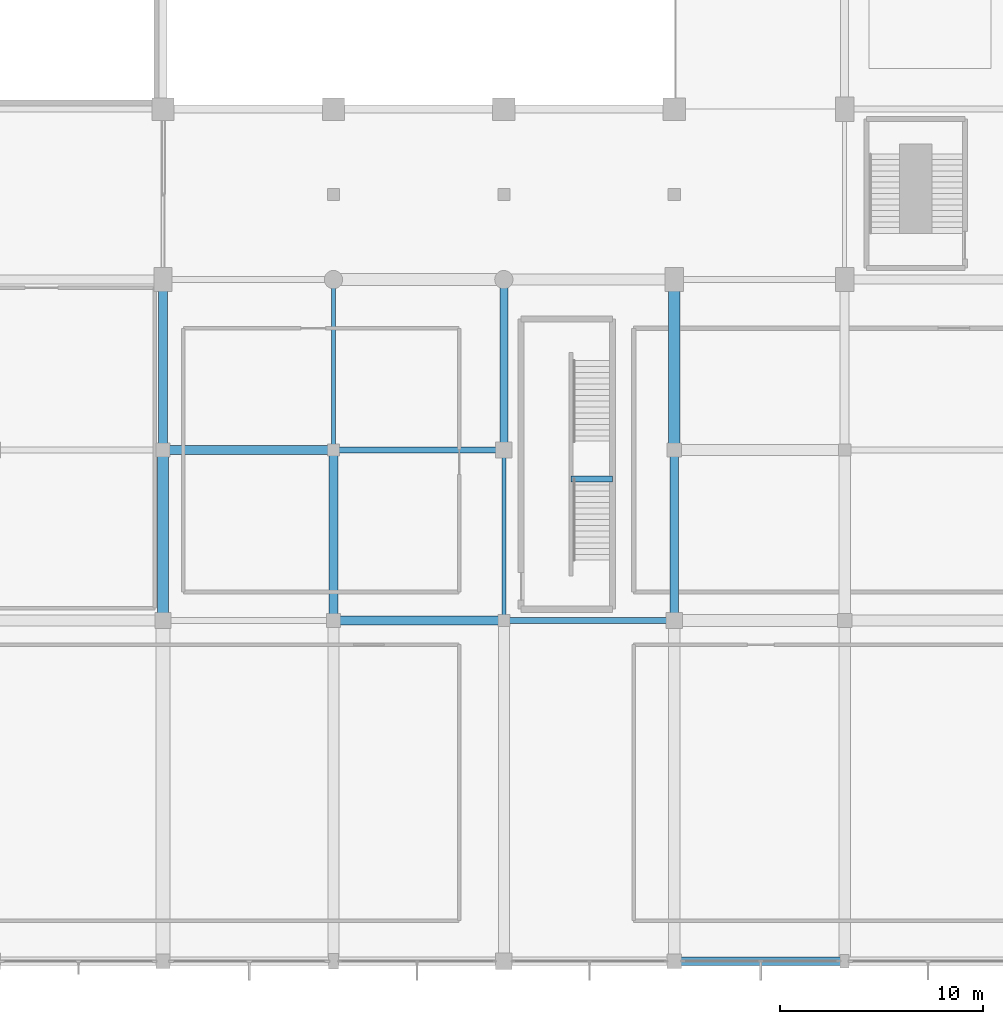
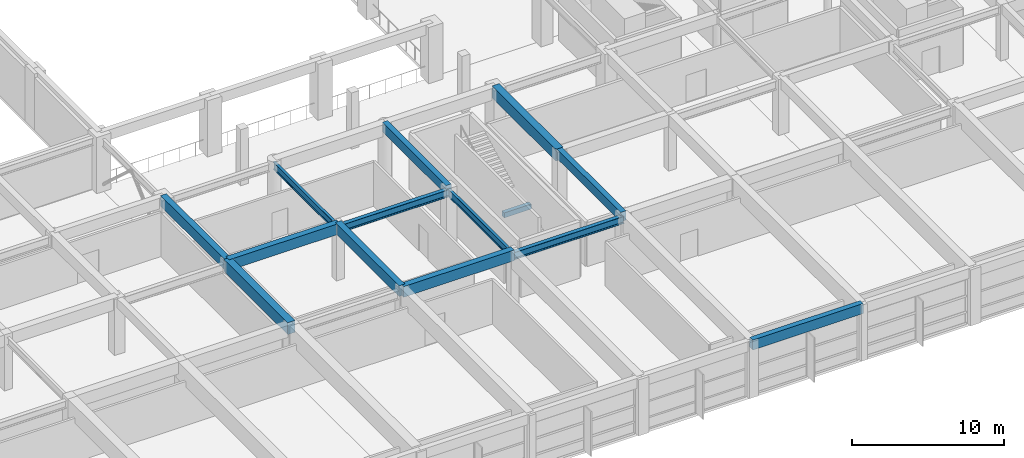
# One storey, part 17 of 65: 14 beams.
"""IFC4 building model written with IfcOpenShell, lengths in metres."""

from ifc_helpers import new_model, si_unit, direction, frame, origin, origin_2d, place, context, subcontext, project, spatial, rectangle, i_section, extrude, material, material_profile, profile_set, type_object, element, save


model = new_model("IFC4")

# Units and contexts
model_context = context("Model", 3, precision=1e-05, world=origin(), true_north=direction((0.0, 1.0)))
body_context = subcontext(model_context, "Body", "Model", "MODEL_VIEW")
ifc_project = project(units=[si_unit("LENGTHUNIT", "METRE"), si_unit("AREAUNIT", "SQUARE_METRE"), si_unit("VOLUMEUNIT", "CUBIC_METRE"), si_unit("PLANEANGLEUNIT", "RADIAN"), si_unit("MASSUNIT", "GRAM", prefix="KILO")], contexts=[model_context])

# Site, building, storey
site_placement = place(None, origin())
site = spatial("IfcSite", under=ifc_project, at=site_placement, CompositionType="ELEMENT")
building_placement = place(site_placement, origin())
building = spatial("IfcBuilding", under=site, at=building_placement, Name="Xuanlan Plaza Opera House", CompositionType="ELEMENT")
storey_placement = place(building_placement, frame((0.0, 0.0, 5.39990234375)))
storey = spatial("IfcBuildingStorey", under=building, at=storey_placement, Name="L01", CompositionType="ELEMENT", Elevation=5.39990234375)

# Beams
ifc_material_1 = material(Name="Concrete C50", Category="concrete")
ifc_material_profile_1 = material_profile(ifc_material_1, rectangle(XDim=0.550048828125, YDim=0.949951171875, at=origin_2d()), Name="RC-BM 550x950")
ifc_profile_set_1 = profile_set([ifc_material_profile_1], Name="Concrete C50")
beam_type_1 = type_object("IfcBeamType", Name="STR-BM-B-02", PredefinedType="BEAM", material=ifc_profile_set_1)
beam_1_placement = place(storey_placement, frame((67.199951171875, 16.800048828125, 4.025146484375), z_axis=(0.0, 1.0, 0.0), x_axis=(-1.0, 0.0, 0.0)))
element("IfcBeam", 1, at=beam_1_placement, inside=storey, type_object=beam_type_1, Name="Grid Beam Y L01 9/C-D", PredefinedType="BEAM", context=body_context, shape_type="SweptSolid", body=[
    extrude(rectangle(XDim=0.550048828125, YDim=0.949951171875, at=origin_2d()), origin(), (0.0, 0.0, 1.0), 8.39990234375),
])
beam_2_placement = place(storey_placement, frame((92.39990234375, 25.199951171875, 4.025146484375), z_axis=(0.0, 1.0, 0.0), x_axis=(-1.0, 0.0, 0.0)))
element("IfcBeam", 2, at=beam_2_placement, inside=storey, type_object=beam_type_1, Name="Grid Beam Y L01 12/D-E", PredefinedType="BEAM", context=body_context, shape_type="SweptSolid", body=[
    extrude(rectangle(XDim=0.550048828125, YDim=0.949951171875, at=origin_2d()), origin(), (0.0, 0.0, 1.0), 8.400146484375),
])
ifc_material_2 = material(Name="Concrete C40", Category="concrete")
ifc_material_profile_2 = material_profile(ifc_material_2, rectangle(XDim=0.449951171875, YDim=0.85009765625, at=origin_2d()), Name="RC-BM 450x850")
ifc_profile_set_2 = profile_set([ifc_material_profile_2], Name="Concrete C40")
beam_type_2 = type_object("IfcBeamType", Name="STR-BM-B-04", PredefinedType="BEAM", material=ifc_profile_set_2)
beam_3_placement = place(storey_placement, frame((75.60009765625, 16.800048828125, 4.0751953125), z_axis=(1.0, 0.0, 0.0), x_axis=(0.0, 1.0, 0.0)))
element("IfcBeam", 3, at=beam_3_placement, inside=storey, type_object=beam_type_2, Name="Grid Beam X L01 10-11/C", PredefinedType="BEAM", context=body_context, shape_type="SweptSolid", body=[
    extrude(rectangle(XDim=0.449951171875, YDim=0.85009765625, at=origin_2d()), origin(), (0.0, 0.0, 1.0), 8.39990234375),
])
for number, where, z_axis, x_axis, name in (
    (4, (67.199951171875, 25.199951171875, 4.0751953125), (1.0, 0.0, 0.0), (0.0, 1.0, 0.0), "Grid Beam X L01 9-10/D"),
    (5, (67.199951171875, 25.199951171875, 4.0751953125), (0.0, 1.0, 0.0), (-1.0, 0.0, 0.0), "Grid Beam Y L01 9/D-E"),
):
    element("IfcBeam", number, at=place(storey_placement, frame(where, z_axis=z_axis, x_axis=x_axis)), inside=storey, type_object=beam_type_2, Name=name, PredefinedType="BEAM", context=body_context, shape_type="SweptSolid", body=[
        extrude(rectangle(XDim=0.449951171875, YDim=0.85009765625, at=origin_2d()), origin(), (0.0, 0.0, 1.0), 8.400146484375),
    ])
beam_4_placement = place(storey_placement, frame((75.60009765625, 16.800048828125, 4.0751953125), z_axis=(0.0, 1.0, 0.0), x_axis=(-1.0, 0.0, 0.0)))
element("IfcBeam", 6, at=beam_4_placement, inside=storey, type_object=beam_type_2, Name="Grid Beam Y L01 10/C-D", PredefinedType="BEAM", context=body_context, shape_type="SweptSolid", body=[
    extrude(rectangle(XDim=0.449951171875, YDim=0.85009765625, at=origin_2d()), origin(), (0.0, 0.0, 1.0), 8.39990234375),
])
ifc_material_profile_3 = material_profile(ifc_material_2, rectangle(XDim=0.39990234375, YDim=0.75, at=origin_2d()), Name="RC-BM 400x750")
ifc_profile_set_3 = profile_set([ifc_material_profile_3], Name="Concrete C40")
beam_type_3 = type_object("IfcBeamType", Name="STR-BM-B-06", PredefinedType="BEAM", material=ifc_profile_set_3)
beam_5_placement = place(storey_placement, frame((84.0, 25.199951171875, 4.125), z_axis=(0.0, 1.0, 0.0), x_axis=(-1.0, 0.0, 0.0)))
element("IfcBeam", 7, at=beam_5_placement, inside=storey, type_object=beam_type_3, Name="Grid Beam Y L01 11/D-E", PredefinedType="BEAM", context=body_context, shape_type="SweptSolid", body=[
    extrude(rectangle(XDim=0.39990234375, YDim=0.75, at=origin_2d()), origin(), (0.0, 0.0, 1.0), 8.400146484375),
])
beam_6_placement = place(storey_placement, frame((92.39990234375, 16.800048828125, 4.125), z_axis=(0.0, 1.0, 0.0), x_axis=(-1.0, 0.0, 0.0)))
element("IfcBeam", 8, at=beam_6_placement, inside=storey, type_object=beam_type_3, Name="Grid Beam Y L01 12/C-D", PredefinedType="BEAM", context=body_context, shape_type="SweptSolid", body=[
    extrude(rectangle(XDim=0.39990234375, YDim=0.75, at=origin_2d()), origin(), (0.0, 0.0, 1.0), 8.39990234375),
])
ifc_material_profile_4 = material_profile(ifc_material_2, rectangle(XDim=0.300048828125, YDim=0.39990234375, at=origin_2d()), Name="RC-LNT 300x400")
ifc_profile_set_4 = profile_set([ifc_material_profile_4], Name="Concrete C40")
beam_type_4 = type_object("IfcBeamType", Name="STR-BM-LN-01", PredefinedType="LINTEL", material=ifc_profile_set_4)
beam_7_placement = place(storey_placement, frame((87.300048828125, 23.760009765625, 1.85009765625), z_axis=(1.0, 0.0, 0.0), x_axis=(0.0, 1.0, 0.0)))
element("IfcBeam", 9, at=beam_7_placement, inside=storey, type_object=beam_type_4, Name="Stair Mid-Landing Trimmer Beam ST-P3 L01", PredefinedType="LINTEL", context=body_context, shape_type="SweptSolid", body=[
    extrude(rectangle(XDim=0.300048828125, YDim=0.39990234375, at=origin_2d()), origin(), (0.0, 0.0, 1.0), 2.050048828125),
])
ifc_material_3 = material(Name="Steel Q355B", Category="steel")
ifc_material_profile_5 = material_profile(ifc_material_3, i_section(OverallWidth=0.199951171875, OverallDepth=0.60009765625, WebThickness=0.010986328125, FlangeThickness=0.01708984375, FilletRadius=0.02197265625, at=origin_2d()), Name="HN 600x200x11x17")
ifc_profile_set_5 = profile_set([ifc_material_profile_5], Name="Steel Q355B")
beam_type_5 = type_object("IfcBeamType", Name="STR-BM-SB-04", PredefinedType="BEAM", material=ifc_profile_set_5)
beam_8_placement = place(storey_placement, frame((75.60009765625, 25.199951171875, 3.93505859375), z_axis=(0.0, 1.0, 0.0), x_axis=(-1.0, 0.0, 0.0)))
element("IfcBeam", 10, at=beam_8_placement, inside=storey, type_object=beam_type_5, Name="Grid Beam Y L01 10/D-E", PredefinedType="BEAM", context=body_context, shape_type="SweptSolid", body=[
    extrude(i_section(OverallWidth=0.199951171875, OverallDepth=0.60009765625, WebThickness=0.010986328125, FlangeThickness=0.01708984375, FilletRadius=0.02197265625, at=origin_2d()), origin(), (0.0, 0.0, 1.0), 8.400146484375),
])
beam_9_placement = place(storey_placement, frame((84.0, 16.800048828125, 3.93505859375), z_axis=(0.0, 1.0, 0.0), x_axis=(-1.0, 0.0, 0.0)))
element("IfcBeam", 11, at=beam_9_placement, inside=storey, type_object=beam_type_5, Name="Grid Beam Y L01 11/C-D", PredefinedType="BEAM", context=body_context, shape_type="SweptSolid", body=[
    extrude(i_section(OverallWidth=0.199951171875, OverallDepth=0.60009765625, WebThickness=0.010986328125, FlangeThickness=0.01708984375, FilletRadius=0.02197265625, at=origin_2d()), origin(), (0.0, 0.0, 1.0), 8.39990234375),
])
ifc_material_profile_6 = material_profile(ifc_material_3, i_section(OverallWidth=0.300048828125, OverallDepth=0.587890625, WebThickness=0.011962890625, FlangeThickness=0.02001953125, FilletRadius=0.02392578125, at=origin_2d()), Name="HM 588x300x12x20")
ifc_profile_set_6 = profile_set([ifc_material_profile_6], Name="Steel Q355B")
beam_type_6 = type_object("IfcBeamType", Name="STR-BM-SB-06", PredefinedType="BEAM", material=ifc_profile_set_6)
for number, where, z_axis, x_axis, name in (
    (12, (84.0, 16.800048828125, 3.941162109375), (1.0, 0.0, 0.0), (0.0, 1.0, 0.0), "Grid Beam X L01 11-12/C"),
    (13, (75.60009765625, 25.199951171875, 3.941162109375), (1.0, 0.0, 0.0), (0.0, 1.0, 0.0), "Grid Beam X L01 10-11/D"),
):
    element("IfcBeam", number, at=place(storey_placement, frame(where, z_axis=z_axis, x_axis=x_axis)), inside=storey, type_object=beam_type_6, Name=name, PredefinedType="BEAM", context=body_context, shape_type="SweptSolid", body=[
        extrude(i_section(OverallWidth=0.300048828125, OverallDepth=0.587890625, WebThickness=0.011962890625, FlangeThickness=0.02001953125, FilletRadius=0.02392578125, at=origin_2d()), origin(), (0.0, 0.0, 1.0), 8.39990234375),
    ])
ifc_material_profile_7 = material_profile(ifc_material_2, rectangle(XDim=0.39990234375, YDim=0.800048828125, at=origin_2d()), Name="RC-SPD 400x800")
ifc_profile_set_7 = profile_set([ifc_material_profile_7], Name="Concrete C40")
beam_type_7 = type_object("IfcBeamType", Name="STR-BM-SP-01", PredefinedType="SPANDREL", material=ifc_profile_set_7)
beam_10_placement = place(storey_placement, frame((92.39990234375, 0.0, 4.10009765625), z_axis=(1.0, 0.0, 0.0), x_axis=(0.0, 1.0, 0.0)))
element("IfcBeam", 14, at=beam_10_placement, inside=storey, type_object=beam_type_7, Name="Grid Beam X L01 12-13/A", PredefinedType="SPANDREL", context=body_context, shape_type="SweptSolid", body=[
    extrude(rectangle(XDim=0.39990234375, YDim=0.800048828125, at=origin_2d()), origin(), (0.0, 0.0, 1.0), 8.400146484375),
])

save(model, "model.ifc")
